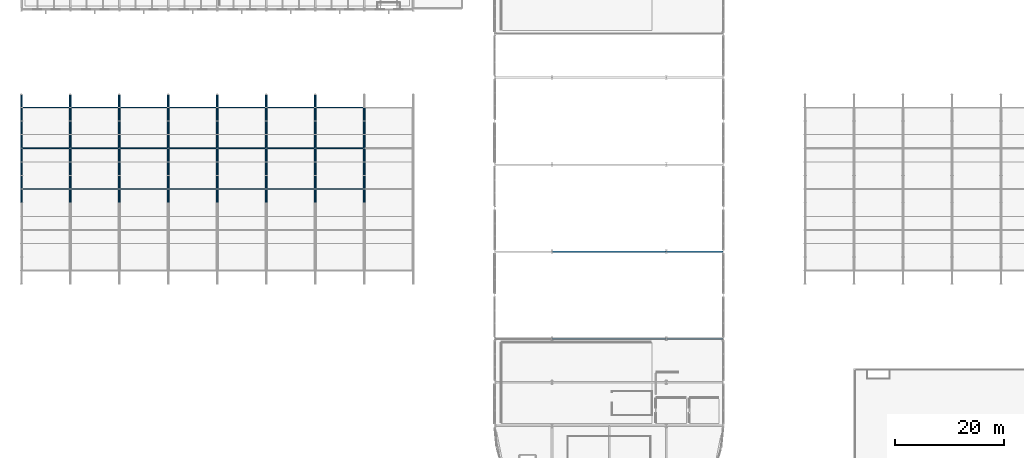
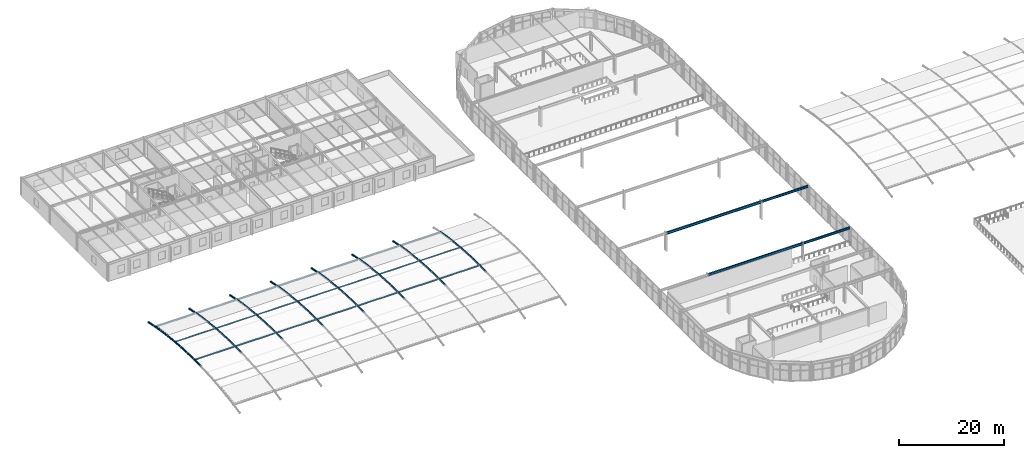
# One storey, part 25 of 105: 84 members, 4 beams.
"""IFC4 building model written with IfcOpenShell, lengths in metres."""

from ifc_helpers import new_model, si_unit, direction, frame, origin, origin_2d, place, context, subcontext, project, spatial, hollow_circle, i_section, extrude, material, material_profile, profile_set, type_object, element, save


model = new_model("IFC4")

# Units and contexts
model_context = context("Model", 3, precision=1e-05, world=origin(), true_north=direction((0.0, 1.0)))
body_context = subcontext(model_context, "Body", "Model", "MODEL_VIEW")
ifc_project = project(units=[si_unit("LENGTHUNIT", "METRE"), si_unit("AREAUNIT", "SQUARE_METRE"), si_unit("VOLUMEUNIT", "CUBIC_METRE"), si_unit("PLANEANGLEUNIT", "RADIAN"), si_unit("MASSUNIT", "GRAM", prefix="KILO")], contexts=[model_context])

# Site, building, storey
site_placement = place(None, origin())
site = spatial("IfcSite", under=ifc_project, at=site_placement, CompositionType="ELEMENT")
building_placement = place(site_placement, origin())
building = spatial("IfcBuilding", under=site, at=building_placement, Name="Marlcrest Central Station", CompositionType="ELEMENT")
storey_placement = place(building_placement, frame((0.0, 0.0, 15.0)))
storey = spatial("IfcBuildingStorey", under=building, at=storey_placement, Name="L03", CompositionType="ELEMENT", Elevation=15.0)

# Members
ifc_material = material(Name="Steel S355", Category="steel")
ifc_material_profile_1 = material_profile(ifc_material, hollow_circle(Radius=0.203125, WallThickness=0.02001953125, at=origin_2d()), Name="CHS 406.4x20")
ifc_profile_set_1 = profile_set([ifc_material_profile_1], Name="Steel S355")
member_type_1 = type_object("IfcMemberType", Name="AC-01", PredefinedType="CHORD", material=ifc_profile_set_1)
for number, where, z_axis, x_axis, name in (
    (1, (0.0, 63.5, 1.76123046875), (0.0, 0.999879472592, 0.01552547228), (-1.0, 0.0, 0.0), "mem-AC-01-L03-00107"),
    (2, (0.0, 66.0, 1.800048828125), (0.0, 0.999879472592, -0.01552547228), (-1.0, 0.0, 0.0), "mem-AC-01-L03-00111"),
):
    element("IfcMember", number, at=place(storey_placement, frame(where, z_axis=z_axis, x_axis=x_axis)), inside=storey, type_object=member_type_1, Name=name, PredefinedType="CHORD", context=body_context, shape_type="SweptSolid", body=[
        extrude(hollow_circle(Radius=0.203125, WallThickness=0.02001953125, at=origin_2d()), origin(), (0.0, 0.0, 1.0), 2.500244140625),
    ])
member_1_placement = place(storey_placement, frame((0.0, 68.5, 1.76123046875), z_axis=(0.0, 0.998921349185, -0.046434234591), x_axis=(-1.0, 0.0, 0.0)))
element("IfcMember", 3, at=member_1_placement, inside=storey, type_object=member_type_1, Name="mem-AC-01-L03-00115", PredefinedType="CHORD", context=body_context, shape_type="SweptSolid", body=[
    extrude(hollow_circle(Radius=0.203125, WallThickness=0.02001953125, at=origin_2d()), origin(), (0.0, 0.0, 1.0), 2.502685546875),
])
member_2_placement = place(storey_placement, frame((0.0, 71.0, 1.64501953125), z_axis=(0.0, 0.996999825732, -0.077403795064), x_axis=(-1.0, 0.0, 0.0)))
element("IfcMember", 4, at=member_2_placement, inside=storey, type_object=member_type_1, Name="mem-AC-01-L03-00119", PredefinedType="CHORD", context=body_context, shape_type="SweptSolid", body=[
    extrude(hollow_circle(Radius=0.203125, WallThickness=0.02001953125, at=origin_2d()), origin(), (0.0, 0.0, 1.0), 2.507568359375),
])
member_3_placement = place(storey_placement, frame((0.0, 73.5, 1.450927734375), z_axis=(0.0, 0.994155341034, -0.107959056565), x_axis=(-1.0, 0.0, 0.0)))
element("IfcMember", 5, at=member_3_placement, inside=storey, type_object=member_type_1, Name="mem-AC-01-L03-00123", PredefinedType="CHORD", context=body_context, shape_type="SweptSolid", body=[
    extrude(hollow_circle(Radius=0.203125, WallThickness=0.02001953125, at=origin_2d()), origin(), (0.0, 0.0, 1.0), 2.5146484375),
])
member_4_placement = place(storey_placement, frame((0.0, 76.0, 1.179443359375), z_axis=(0.0, 0.990402740232, -0.138211476152), x_axis=(-1.0, 0.0, 0.0)))
element("IfcMember", 6, at=member_4_placement, inside=storey, type_object=member_type_1, Name="mem-AC-01-L03-00127", PredefinedType="CHORD", context=body_context, shape_type="SweptSolid", body=[
    extrude(hollow_circle(Radius=0.203125, WallThickness=0.02001953125, at=origin_2d()), origin(), (0.0, 0.0, 1.0), 2.524169921875),
])
member_5_placement = place(storey_placement, frame((0.0, 78.5, 0.83056640625), z_axis=(0.0, 0.98574109921, -0.168269086076), x_axis=(-1.0, 0.0, 0.0)))
element("IfcMember", 7, at=member_5_placement, inside=storey, type_object=member_type_1, Name="mem-AC-01-L03-00131", PredefinedType="CHORD", context=body_context, shape_type="SweptSolid", body=[
    extrude(hollow_circle(Radius=0.203125, WallThickness=0.02001953125, at=origin_2d()), origin(), (0.0, 0.0, 1.0), 2.5361328125),
])
member_6_placement = place(storey_placement, frame((0.0, 81.0, 0.40380859375), z_axis=(0.0, 0.980359417961, -0.197219196874), x_axis=(-1.0, 0.0, 0.0)))
element("IfcMember", 8, at=member_6_placement, inside=storey, type_object=member_type_1, Name="mem-AC-01-L03-00135", PredefinedType="CHORD", context=body_context, shape_type="SweptSolid", body=[
    extrude(hollow_circle(Radius=0.203125, WallThickness=0.02001953125, at=origin_2d()), origin(), (0.0, 0.0, 1.0), 2.468505859375),
])
for number, where, z_axis, x_axis, name in (
    (9, (9.0, 63.5, 1.76123046875), (0.0, 0.999879472592, 0.01552547228), (-1.0, 0.0, 0.0), "mem-AC-01-L03-00223"),
    (10, (9.0, 66.0, 1.800048828125), (0.0, 0.999879472592, -0.01552547228), (-1.0, 0.0, 0.0), "mem-AC-01-L03-00227"),
):
    element("IfcMember", number, at=place(storey_placement, frame(where, z_axis=z_axis, x_axis=x_axis)), inside=storey, type_object=member_type_1, Name=name, PredefinedType="CHORD", context=body_context, shape_type="SweptSolid", body=[
        extrude(hollow_circle(Radius=0.203125, WallThickness=0.02001953125, at=origin_2d()), origin(), (0.0, 0.0, 1.0), 2.500244140625),
    ])
member_7_placement = place(storey_placement, frame((9.0, 68.5, 1.76123046875), z_axis=(0.0, 0.998921349185, -0.046434234591), x_axis=(-1.0, 0.0, 0.0)))
element("IfcMember", 11, at=member_7_placement, inside=storey, type_object=member_type_1, Name="mem-AC-01-L03-00231", PredefinedType="CHORD", context=body_context, shape_type="SweptSolid", body=[
    extrude(hollow_circle(Radius=0.203125, WallThickness=0.02001953125, at=origin_2d()), origin(), (0.0, 0.0, 1.0), 2.502685546875),
])
member_8_placement = place(storey_placement, frame((9.0, 71.0, 1.64501953125), z_axis=(0.0, 0.996999825732, -0.077403795064), x_axis=(-1.0, 0.0, 0.0)))
element("IfcMember", 12, at=member_8_placement, inside=storey, type_object=member_type_1, Name="mem-AC-01-L03-00235", PredefinedType="CHORD", context=body_context, shape_type="SweptSolid", body=[
    extrude(hollow_circle(Radius=0.203125, WallThickness=0.02001953125, at=origin_2d()), origin(), (0.0, 0.0, 1.0), 2.507568359375),
])
member_9_placement = place(storey_placement, frame((9.0, 73.5, 1.450927734375), z_axis=(0.0, 0.994155341034, -0.107959056565), x_axis=(-1.0, 0.0, 0.0)))
element("IfcMember", 13, at=member_9_placement, inside=storey, type_object=member_type_1, Name="mem-AC-01-L03-00239", PredefinedType="CHORD", context=body_context, shape_type="SweptSolid", body=[
    extrude(hollow_circle(Radius=0.203125, WallThickness=0.02001953125, at=origin_2d()), origin(), (0.0, 0.0, 1.0), 2.5146484375),
])
member_10_placement = place(storey_placement, frame((9.0, 76.0, 1.179443359375), z_axis=(0.0, 0.990402740232, -0.138211476152), x_axis=(-1.0, 0.0, 0.0)))
element("IfcMember", 14, at=member_10_placement, inside=storey, type_object=member_type_1, Name="mem-AC-01-L03-00243", PredefinedType="CHORD", context=body_context, shape_type="SweptSolid", body=[
    extrude(hollow_circle(Radius=0.203125, WallThickness=0.02001953125, at=origin_2d()), origin(), (0.0, 0.0, 1.0), 2.524169921875),
])
member_11_placement = place(storey_placement, frame((9.0, 78.5, 0.83056640625), z_axis=(0.0, 0.98574109921, -0.168269086076), x_axis=(-1.0, 0.0, 0.0)))
element("IfcMember", 15, at=member_11_placement, inside=storey, type_object=member_type_1, Name="mem-AC-01-L03-00247", PredefinedType="CHORD", context=body_context, shape_type="SweptSolid", body=[
    extrude(hollow_circle(Radius=0.203125, WallThickness=0.02001953125, at=origin_2d()), origin(), (0.0, 0.0, 1.0), 2.5361328125),
])
member_12_placement = place(storey_placement, frame((9.0, 81.0, 0.40380859375), z_axis=(0.0, 0.980359417961, -0.197219196874), x_axis=(-1.0, 0.0, 0.0)))
element("IfcMember", 16, at=member_12_placement, inside=storey, type_object=member_type_1, Name="mem-AC-01-L03-00251", PredefinedType="CHORD", context=body_context, shape_type="SweptSolid", body=[
    extrude(hollow_circle(Radius=0.203125, WallThickness=0.02001953125, at=origin_2d()), origin(), (0.0, 0.0, 1.0), 2.468505859375),
])
for number, where, z_axis, x_axis, name in (
    (17, (18.0, 63.5, 1.76123046875), (0.0, 0.999879472592, 0.01552547228), (-1.0, 0.0, 0.0), "mem-AC-01-L03-00339"),
    (18, (18.0, 66.0, 1.800048828125), (0.0, 0.999879472592, -0.01552547228), (-1.0, 0.0, 0.0), "mem-AC-01-L03-00343"),
):
    element("IfcMember", number, at=place(storey_placement, frame(where, z_axis=z_axis, x_axis=x_axis)), inside=storey, type_object=member_type_1, Name=name, PredefinedType="CHORD", context=body_context, shape_type="SweptSolid", body=[
        extrude(hollow_circle(Radius=0.203125, WallThickness=0.02001953125, at=origin_2d()), origin(), (0.0, 0.0, 1.0), 2.500244140625),
    ])
member_13_placement = place(storey_placement, frame((18.0, 68.5, 1.76123046875), z_axis=(0.0, 0.998921349185, -0.046434234591), x_axis=(-1.0, 0.0, 0.0)))
element("IfcMember", 19, at=member_13_placement, inside=storey, type_object=member_type_1, Name="mem-AC-01-L03-00347", PredefinedType="CHORD", context=body_context, shape_type="SweptSolid", body=[
    extrude(hollow_circle(Radius=0.203125, WallThickness=0.02001953125, at=origin_2d()), origin(), (0.0, 0.0, 1.0), 2.502685546875),
])
member_14_placement = place(storey_placement, frame((18.0, 71.0, 1.64501953125), z_axis=(0.0, 0.996999825732, -0.077403795064), x_axis=(-1.0, 0.0, 0.0)))
element("IfcMember", 20, at=member_14_placement, inside=storey, type_object=member_type_1, Name="mem-AC-01-L03-00351", PredefinedType="CHORD", context=body_context, shape_type="SweptSolid", body=[
    extrude(hollow_circle(Radius=0.203125, WallThickness=0.02001953125, at=origin_2d()), origin(), (0.0, 0.0, 1.0), 2.507568359375),
])
member_15_placement = place(storey_placement, frame((18.0, 73.5, 1.450927734375), z_axis=(0.0, 0.994155341034, -0.107959056565), x_axis=(-1.0, 0.0, 0.0)))
element("IfcMember", 21, at=member_15_placement, inside=storey, type_object=member_type_1, Name="mem-AC-01-L03-00355", PredefinedType="CHORD", context=body_context, shape_type="SweptSolid", body=[
    extrude(hollow_circle(Radius=0.203125, WallThickness=0.02001953125, at=origin_2d()), origin(), (0.0, 0.0, 1.0), 2.5146484375),
])
member_16_placement = place(storey_placement, frame((18.0, 76.0, 1.179443359375), z_axis=(0.0, 0.990402740232, -0.138211476152), x_axis=(-1.0, 0.0, 0.0)))
element("IfcMember", 22, at=member_16_placement, inside=storey, type_object=member_type_1, Name="mem-AC-01-L03-00359", PredefinedType="CHORD", context=body_context, shape_type="SweptSolid", body=[
    extrude(hollow_circle(Radius=0.203125, WallThickness=0.02001953125, at=origin_2d()), origin(), (0.0, 0.0, 1.0), 2.524169921875),
])
member_17_placement = place(storey_placement, frame((18.0, 78.5, 0.83056640625), z_axis=(0.0, 0.98574109921, -0.168269086076), x_axis=(-1.0, 0.0, 0.0)))
element("IfcMember", 23, at=member_17_placement, inside=storey, type_object=member_type_1, Name="mem-AC-01-L03-00363", PredefinedType="CHORD", context=body_context, shape_type="SweptSolid", body=[
    extrude(hollow_circle(Radius=0.203125, WallThickness=0.02001953125, at=origin_2d()), origin(), (0.0, 0.0, 1.0), 2.5361328125),
])
member_18_placement = place(storey_placement, frame((18.0, 81.0, 0.40380859375), z_axis=(0.0, 0.980359417961, -0.197219196874), x_axis=(-1.0, 0.0, 0.0)))
element("IfcMember", 24, at=member_18_placement, inside=storey, type_object=member_type_1, Name="mem-AC-01-L03-00367", PredefinedType="CHORD", context=body_context, shape_type="SweptSolid", body=[
    extrude(hollow_circle(Radius=0.203125, WallThickness=0.02001953125, at=origin_2d()), origin(), (0.0, 0.0, 1.0), 2.468505859375),
])
for number, where, z_axis, x_axis, name in (
    (25, (27.0, 63.5, 1.76123046875), (0.0, 0.999879472592, 0.01552547228), (-1.0, 0.0, 0.0), "mem-AC-01-L03-00455"),
    (26, (27.0, 66.0, 1.800048828125), (0.0, 0.999879472592, -0.01552547228), (-1.0, 0.0, 0.0), "mem-AC-01-L03-00459"),
):
    element("IfcMember", number, at=place(storey_placement, frame(where, z_axis=z_axis, x_axis=x_axis)), inside=storey, type_object=member_type_1, Name=name, PredefinedType="CHORD", context=body_context, shape_type="SweptSolid", body=[
        extrude(hollow_circle(Radius=0.203125, WallThickness=0.02001953125, at=origin_2d()), origin(), (0.0, 0.0, 1.0), 2.500244140625),
    ])
member_19_placement = place(storey_placement, frame((27.0, 68.5, 1.76123046875), z_axis=(0.0, 0.998921349185, -0.046434234591), x_axis=(-1.0, 0.0, 0.0)))
element("IfcMember", 27, at=member_19_placement, inside=storey, type_object=member_type_1, Name="mem-AC-01-L03-00463", PredefinedType="CHORD", context=body_context, shape_type="SweptSolid", body=[
    extrude(hollow_circle(Radius=0.203125, WallThickness=0.02001953125, at=origin_2d()), origin(), (0.0, 0.0, 1.0), 2.502685546875),
])
member_20_placement = place(storey_placement, frame((27.0, 71.0, 1.64501953125), z_axis=(0.0, 0.996999825732, -0.077403795064), x_axis=(-1.0, 0.0, 0.0)))
element("IfcMember", 28, at=member_20_placement, inside=storey, type_object=member_type_1, Name="mem-AC-01-L03-00467", PredefinedType="CHORD", context=body_context, shape_type="SweptSolid", body=[
    extrude(hollow_circle(Radius=0.203125, WallThickness=0.02001953125, at=origin_2d()), origin(), (0.0, 0.0, 1.0), 2.507568359375),
])
member_21_placement = place(storey_placement, frame((27.0, 73.5, 1.450927734375), z_axis=(0.0, 0.994155341034, -0.107959056565), x_axis=(-1.0, 0.0, 0.0)))
element("IfcMember", 29, at=member_21_placement, inside=storey, type_object=member_type_1, Name="mem-AC-01-L03-00471", PredefinedType="CHORD", context=body_context, shape_type="SweptSolid", body=[
    extrude(hollow_circle(Radius=0.203125, WallThickness=0.02001953125, at=origin_2d()), origin(), (0.0, 0.0, 1.0), 2.5146484375),
])
member_22_placement = place(storey_placement, frame((27.0, 76.0, 1.179443359375), z_axis=(0.0, 0.990402740232, -0.138211476152), x_axis=(-1.0, 0.0, 0.0)))
element("IfcMember", 30, at=member_22_placement, inside=storey, type_object=member_type_1, Name="mem-AC-01-L03-00475", PredefinedType="CHORD", context=body_context, shape_type="SweptSolid", body=[
    extrude(hollow_circle(Radius=0.203125, WallThickness=0.02001953125, at=origin_2d()), origin(), (0.0, 0.0, 1.0), 2.524169921875),
])
member_23_placement = place(storey_placement, frame((27.0, 78.5, 0.83056640625), z_axis=(0.0, 0.98574109921, -0.168269086076), x_axis=(-1.0, 0.0, 0.0)))
element("IfcMember", 31, at=member_23_placement, inside=storey, type_object=member_type_1, Name="mem-AC-01-L03-00479", PredefinedType="CHORD", context=body_context, shape_type="SweptSolid", body=[
    extrude(hollow_circle(Radius=0.203125, WallThickness=0.02001953125, at=origin_2d()), origin(), (0.0, 0.0, 1.0), 2.5361328125),
])
member_24_placement = place(storey_placement, frame((27.0, 81.0, 0.40380859375), z_axis=(0.0, 0.980359417961, -0.197219196874), x_axis=(-1.0, 0.0, 0.0)))
element("IfcMember", 32, at=member_24_placement, inside=storey, type_object=member_type_1, Name="mem-AC-01-L03-00483", PredefinedType="CHORD", context=body_context, shape_type="SweptSolid", body=[
    extrude(hollow_circle(Radius=0.203125, WallThickness=0.02001953125, at=origin_2d()), origin(), (0.0, 0.0, 1.0), 2.468505859375),
])
for number, where, z_axis, x_axis, name in (
    (33, (36.0, 63.5, 1.76123046875), (0.0, 0.999879472592, 0.01552547228), (-1.0, 0.0, 0.0), "mem-AC-01-L03-00571"),
    (34, (36.0, 66.0, 1.800048828125), (0.0, 0.999879472592, -0.01552547228), (-1.0, 0.0, 0.0), "mem-AC-01-L03-00575"),
):
    element("IfcMember", number, at=place(storey_placement, frame(where, z_axis=z_axis, x_axis=x_axis)), inside=storey, type_object=member_type_1, Name=name, PredefinedType="CHORD", context=body_context, shape_type="SweptSolid", body=[
        extrude(hollow_circle(Radius=0.203125, WallThickness=0.02001953125, at=origin_2d()), origin(), (0.0, 0.0, 1.0), 2.500244140625),
    ])
member_25_placement = place(storey_placement, frame((36.0, 68.5, 1.76123046875), z_axis=(0.0, 0.998921349185, -0.046434234591), x_axis=(-1.0, 0.0, 0.0)))
element("IfcMember", 35, at=member_25_placement, inside=storey, type_object=member_type_1, Name="mem-AC-01-L03-00579", PredefinedType="CHORD", context=body_context, shape_type="SweptSolid", body=[
    extrude(hollow_circle(Radius=0.203125, WallThickness=0.02001953125, at=origin_2d()), origin(), (0.0, 0.0, 1.0), 2.502685546875),
])
member_26_placement = place(storey_placement, frame((36.0, 71.0, 1.64501953125), z_axis=(0.0, 0.996999825732, -0.077403795064), x_axis=(-1.0, 0.0, 0.0)))
element("IfcMember", 36, at=member_26_placement, inside=storey, type_object=member_type_1, Name="mem-AC-01-L03-00583", PredefinedType="CHORD", context=body_context, shape_type="SweptSolid", body=[
    extrude(hollow_circle(Radius=0.203125, WallThickness=0.02001953125, at=origin_2d()), origin(), (0.0, 0.0, 1.0), 2.507568359375),
])
member_27_placement = place(storey_placement, frame((36.0, 73.5, 1.450927734375), z_axis=(0.0, 0.994155341034, -0.107959056565), x_axis=(-1.0, 0.0, 0.0)))
element("IfcMember", 37, at=member_27_placement, inside=storey, type_object=member_type_1, Name="mem-AC-01-L03-00587", PredefinedType="CHORD", context=body_context, shape_type="SweptSolid", body=[
    extrude(hollow_circle(Radius=0.203125, WallThickness=0.02001953125, at=origin_2d()), origin(), (0.0, 0.0, 1.0), 2.5146484375),
])
member_28_placement = place(storey_placement, frame((36.0, 76.0, 1.179443359375), z_axis=(0.0, 0.990402740232, -0.138211476152), x_axis=(-1.0, 0.0, 0.0)))
element("IfcMember", 38, at=member_28_placement, inside=storey, type_object=member_type_1, Name="mem-AC-01-L03-00591", PredefinedType="CHORD", context=body_context, shape_type="SweptSolid", body=[
    extrude(hollow_circle(Radius=0.203125, WallThickness=0.02001953125, at=origin_2d()), origin(), (0.0, 0.0, 1.0), 2.524169921875),
])
member_29_placement = place(storey_placement, frame((36.0, 78.5, 0.83056640625), z_axis=(0.0, 0.98574109921, -0.168269086076), x_axis=(-1.0, 0.0, 0.0)))
element("IfcMember", 39, at=member_29_placement, inside=storey, type_object=member_type_1, Name="mem-AC-01-L03-00595", PredefinedType="CHORD", context=body_context, shape_type="SweptSolid", body=[
    extrude(hollow_circle(Radius=0.203125, WallThickness=0.02001953125, at=origin_2d()), origin(), (0.0, 0.0, 1.0), 2.5361328125),
])
member_30_placement = place(storey_placement, frame((36.0, 81.0, 0.40380859375), z_axis=(0.0, 0.980359417961, -0.197219196874), x_axis=(-1.0, 0.0, 0.0)))
element("IfcMember", 40, at=member_30_placement, inside=storey, type_object=member_type_1, Name="mem-AC-01-L03-00599", PredefinedType="CHORD", context=body_context, shape_type="SweptSolid", body=[
    extrude(hollow_circle(Radius=0.203125, WallThickness=0.02001953125, at=origin_2d()), origin(), (0.0, 0.0, 1.0), 2.468505859375),
])
for number, where, z_axis, x_axis, name in (
    (41, (45.0, 63.5, 1.76123046875), (0.0, 0.999879472592, 0.01552547228), (-1.0, 0.0, 0.0), "mem-AC-01-L03-00687"),
    (42, (45.0, 66.0, 1.800048828125), (0.0, 0.999879472592, -0.01552547228), (-1.0, 0.0, 0.0), "mem-AC-01-L03-00691"),
):
    element("IfcMember", number, at=place(storey_placement, frame(where, z_axis=z_axis, x_axis=x_axis)), inside=storey, type_object=member_type_1, Name=name, PredefinedType="CHORD", context=body_context, shape_type="SweptSolid", body=[
        extrude(hollow_circle(Radius=0.203125, WallThickness=0.02001953125, at=origin_2d()), origin(), (0.0, 0.0, 1.0), 2.500244140625),
    ])
member_31_placement = place(storey_placement, frame((45.0, 68.5, 1.76123046875), z_axis=(0.0, 0.998921349185, -0.046434234591), x_axis=(-1.0, 0.0, 0.0)))
element("IfcMember", 43, at=member_31_placement, inside=storey, type_object=member_type_1, Name="mem-AC-01-L03-00695", PredefinedType="CHORD", context=body_context, shape_type="SweptSolid", body=[
    extrude(hollow_circle(Radius=0.203125, WallThickness=0.02001953125, at=origin_2d()), origin(), (0.0, 0.0, 1.0), 2.502685546875),
])
member_32_placement = place(storey_placement, frame((45.0, 71.0, 1.64501953125), z_axis=(0.0, 0.996999825732, -0.077403795064), x_axis=(-1.0, 0.0, 0.0)))
element("IfcMember", 44, at=member_32_placement, inside=storey, type_object=member_type_1, Name="mem-AC-01-L03-00699", PredefinedType="CHORD", context=body_context, shape_type="SweptSolid", body=[
    extrude(hollow_circle(Radius=0.203125, WallThickness=0.02001953125, at=origin_2d()), origin(), (0.0, 0.0, 1.0), 2.507568359375),
])
member_33_placement = place(storey_placement, frame((45.0, 73.5, 1.450927734375), z_axis=(0.0, 0.994155341034, -0.107959056565), x_axis=(-1.0, 0.0, 0.0)))
element("IfcMember", 45, at=member_33_placement, inside=storey, type_object=member_type_1, Name="mem-AC-01-L03-00703", PredefinedType="CHORD", context=body_context, shape_type="SweptSolid", body=[
    extrude(hollow_circle(Radius=0.203125, WallThickness=0.02001953125, at=origin_2d()), origin(), (0.0, 0.0, 1.0), 2.5146484375),
])
member_34_placement = place(storey_placement, frame((45.0, 76.0, 1.179443359375), z_axis=(0.0, 0.990402740232, -0.138211476152), x_axis=(-1.0, 0.0, 0.0)))
element("IfcMember", 46, at=member_34_placement, inside=storey, type_object=member_type_1, Name="mem-AC-01-L03-00707", PredefinedType="CHORD", context=body_context, shape_type="SweptSolid", body=[
    extrude(hollow_circle(Radius=0.203125, WallThickness=0.02001953125, at=origin_2d()), origin(), (0.0, 0.0, 1.0), 2.524169921875),
])
member_35_placement = place(storey_placement, frame((45.0, 78.5, 0.83056640625), z_axis=(0.0, 0.98574109921, -0.168269086076), x_axis=(-1.0, 0.0, 0.0)))
element("IfcMember", 47, at=member_35_placement, inside=storey, type_object=member_type_1, Name="mem-AC-01-L03-00711", PredefinedType="CHORD", context=body_context, shape_type="SweptSolid", body=[
    extrude(hollow_circle(Radius=0.203125, WallThickness=0.02001953125, at=origin_2d()), origin(), (0.0, 0.0, 1.0), 2.5361328125),
])
member_36_placement = place(storey_placement, frame((45.0, 81.0, 0.40380859375), z_axis=(0.0, 0.980359417961, -0.197219196874), x_axis=(-1.0, 0.0, 0.0)))
element("IfcMember", 48, at=member_36_placement, inside=storey, type_object=member_type_1, Name="mem-AC-01-L03-00715", PredefinedType="CHORD", context=body_context, shape_type="SweptSolid", body=[
    extrude(hollow_circle(Radius=0.203125, WallThickness=0.02001953125, at=origin_2d()), origin(), (0.0, 0.0, 1.0), 2.468505859375),
])
for number, where, z_axis, x_axis, name in (
    (49, (54.0, 63.5, 1.76123046875), (0.0, 0.999879472592, 0.01552547228), (-1.0, 0.0, 0.0), "mem-AC-01-L03-00803"),
    (50, (54.0, 66.0, 1.800048828125), (0.0, 0.999879472592, -0.01552547228), (-1.0, 0.0, 0.0), "mem-AC-01-L03-00807"),
):
    element("IfcMember", number, at=place(storey_placement, frame(where, z_axis=z_axis, x_axis=x_axis)), inside=storey, type_object=member_type_1, Name=name, PredefinedType="CHORD", context=body_context, shape_type="SweptSolid", body=[
        extrude(hollow_circle(Radius=0.203125, WallThickness=0.02001953125, at=origin_2d()), origin(), (0.0, 0.0, 1.0), 2.500244140625),
    ])
member_37_placement = place(storey_placement, frame((54.0, 68.5, 1.76123046875), z_axis=(0.0, 0.998921349185, -0.046434234591), x_axis=(-1.0, 0.0, 0.0)))
element("IfcMember", 51, at=member_37_placement, inside=storey, type_object=member_type_1, Name="mem-AC-01-L03-00811", PredefinedType="CHORD", context=body_context, shape_type="SweptSolid", body=[
    extrude(hollow_circle(Radius=0.203125, WallThickness=0.02001953125, at=origin_2d()), origin(), (0.0, 0.0, 1.0), 2.502685546875),
])
member_38_placement = place(storey_placement, frame((54.0, 71.0, 1.64501953125), z_axis=(0.0, 0.996999825732, -0.077403795064), x_axis=(-1.0, 0.0, 0.0)))
element("IfcMember", 52, at=member_38_placement, inside=storey, type_object=member_type_1, Name="mem-AC-01-L03-00815", PredefinedType="CHORD", context=body_context, shape_type="SweptSolid", body=[
    extrude(hollow_circle(Radius=0.203125, WallThickness=0.02001953125, at=origin_2d()), origin(), (0.0, 0.0, 1.0), 2.507568359375),
])
member_39_placement = place(storey_placement, frame((54.0, 73.5, 1.450927734375), z_axis=(0.0, 0.994155341034, -0.107959056565), x_axis=(-1.0, 0.0, 0.0)))
element("IfcMember", 53, at=member_39_placement, inside=storey, type_object=member_type_1, Name="mem-AC-01-L03-00819", PredefinedType="CHORD", context=body_context, shape_type="SweptSolid", body=[
    extrude(hollow_circle(Radius=0.203125, WallThickness=0.02001953125, at=origin_2d()), origin(), (0.0, 0.0, 1.0), 2.5146484375),
])
member_40_placement = place(storey_placement, frame((54.0, 76.0, 1.179443359375), z_axis=(0.0, 0.990402740232, -0.138211476152), x_axis=(-1.0, 0.0, 0.0)))
element("IfcMember", 54, at=member_40_placement, inside=storey, type_object=member_type_1, Name="mem-AC-01-L03-00823", PredefinedType="CHORD", context=body_context, shape_type="SweptSolid", body=[
    extrude(hollow_circle(Radius=0.203125, WallThickness=0.02001953125, at=origin_2d()), origin(), (0.0, 0.0, 1.0), 2.524169921875),
])
member_41_placement = place(storey_placement, frame((54.0, 78.5, 0.83056640625), z_axis=(0.0, 0.98574109921, -0.168269086076), x_axis=(-1.0, 0.0, 0.0)))
element("IfcMember", 55, at=member_41_placement, inside=storey, type_object=member_type_1, Name="mem-AC-01-L03-00827", PredefinedType="CHORD", context=body_context, shape_type="SweptSolid", body=[
    extrude(hollow_circle(Radius=0.203125, WallThickness=0.02001953125, at=origin_2d()), origin(), (0.0, 0.0, 1.0), 2.5361328125),
])
member_42_placement = place(storey_placement, frame((54.0, 81.0, 0.40380859375), z_axis=(0.0, 0.980359417961, -0.197219196874), x_axis=(-1.0, 0.0, 0.0)))
element("IfcMember", 56, at=member_42_placement, inside=storey, type_object=member_type_1, Name="mem-AC-01-L03-00831", PredefinedType="CHORD", context=body_context, shape_type="SweptSolid", body=[
    extrude(hollow_circle(Radius=0.203125, WallThickness=0.02001953125, at=origin_2d()), origin(), (0.0, 0.0, 1.0), 2.468505859375),
])
for number, where, z_axis, x_axis, name in (
    (57, (63.0, 63.5, 1.76123046875), (0.0, 0.999879472592, 0.01552547228), (-1.0, 0.0, 0.0), "mem-AC-01-L03-00919"),
    (58, (63.0, 66.0, 1.800048828125), (0.0, 0.999879472592, -0.01552547228), (-1.0, 0.0, 0.0), "mem-AC-01-L03-00923"),
):
    element("IfcMember", number, at=place(storey_placement, frame(where, z_axis=z_axis, x_axis=x_axis)), inside=storey, type_object=member_type_1, Name=name, PredefinedType="CHORD", context=body_context, shape_type="SweptSolid", body=[
        extrude(hollow_circle(Radius=0.203125, WallThickness=0.02001953125, at=origin_2d()), origin(), (0.0, 0.0, 1.0), 2.500244140625),
    ])
member_43_placement = place(storey_placement, frame((63.0, 68.5, 1.76123046875), z_axis=(0.0, 0.998921349185, -0.046434234591), x_axis=(-1.0, 0.0, 0.0)))
element("IfcMember", 59, at=member_43_placement, inside=storey, type_object=member_type_1, Name="mem-AC-01-L03-00927", PredefinedType="CHORD", context=body_context, shape_type="SweptSolid", body=[
    extrude(hollow_circle(Radius=0.203125, WallThickness=0.02001953125, at=origin_2d()), origin(), (0.0, 0.0, 1.0), 2.502685546875),
])
member_44_placement = place(storey_placement, frame((63.0, 71.0, 1.64501953125), z_axis=(0.0, 0.996999825732, -0.077403795064), x_axis=(-1.0, 0.0, 0.0)))
element("IfcMember", 60, at=member_44_placement, inside=storey, type_object=member_type_1, Name="mem-AC-01-L03-00931", PredefinedType="CHORD", context=body_context, shape_type="SweptSolid", body=[
    extrude(hollow_circle(Radius=0.203125, WallThickness=0.02001953125, at=origin_2d()), origin(), (0.0, 0.0, 1.0), 2.507568359375),
])
member_45_placement = place(storey_placement, frame((63.0, 73.5, 1.450927734375), z_axis=(0.0, 0.994155341034, -0.107959056565), x_axis=(-1.0, 0.0, 0.0)))
element("IfcMember", 61, at=member_45_placement, inside=storey, type_object=member_type_1, Name="mem-AC-01-L03-00935", PredefinedType="CHORD", context=body_context, shape_type="SweptSolid", body=[
    extrude(hollow_circle(Radius=0.203125, WallThickness=0.02001953125, at=origin_2d()), origin(), (0.0, 0.0, 1.0), 2.5146484375),
])
member_46_placement = place(storey_placement, frame((63.0, 76.0, 1.179443359375), z_axis=(0.0, 0.990402740232, -0.138211476152), x_axis=(-1.0, 0.0, 0.0)))
element("IfcMember", 62, at=member_46_placement, inside=storey, type_object=member_type_1, Name="mem-AC-01-L03-00939", PredefinedType="CHORD", context=body_context, shape_type="SweptSolid", body=[
    extrude(hollow_circle(Radius=0.203125, WallThickness=0.02001953125, at=origin_2d()), origin(), (0.0, 0.0, 1.0), 2.524169921875),
])
member_47_placement = place(storey_placement, frame((63.0, 78.5, 0.83056640625), z_axis=(0.0, 0.98574109921, -0.168269086076), x_axis=(-1.0, 0.0, 0.0)))
element("IfcMember", 63, at=member_47_placement, inside=storey, type_object=member_type_1, Name="mem-AC-01-L03-00943", PredefinedType="CHORD", context=body_context, shape_type="SweptSolid", body=[
    extrude(hollow_circle(Radius=0.203125, WallThickness=0.02001953125, at=origin_2d()), origin(), (0.0, 0.0, 1.0), 2.5361328125),
])

# Beams
ifc_material_profile_2 = material_profile(ifc_material, i_section(OverallWidth=0.300048828125, OverallDepth=0.489990234375, WebThickness=0.011962890625, FlangeThickness=0.02294921875, FilletRadius=0.027099609375, at=origin_2d()), Name="HEA 500")
ifc_profile_set_2 = profile_set([ifc_material_profile_2], Name="Steel S355")
beam_type_1 = type_object("IfcBeamType", Name="BM-10", PredefinedType="BEAM", material=ifc_profile_set_2)
for number, where, z_axis, x_axis, name in (
    (64, (118.550048828125, 38.5, 4.074951171875), (1.0, 0.0, 0.0), (0.0, 1.0, 0.0), "bm-BM-10-L03-01180"),
    (65, (118.550048828125, 54.5, 4.074951171875), (1.0, 0.0, 0.0), (0.0, 1.0, 0.0), "bm-BM-10-L03-01191"),
):
    element("IfcBeam", number, at=place(storey_placement, frame(where, z_axis=z_axis, x_axis=x_axis)), inside=storey, type_object=beam_type_1, Name=name, PredefinedType="BEAM", context=body_context, shape_type="SweptSolid", body=[
        extrude(i_section(OverallWidth=0.300048828125, OverallDepth=0.489990234375, WebThickness=0.011962890625, FlangeThickness=0.02294921875, FilletRadius=0.027099609375, at=origin_2d()), origin(), (0.0, 0.0, 1.0), 10.39990234375),
    ])
ifc_material_profile_3 = material_profile(ifc_material, i_section(OverallWidth=0.300048828125, OverallDepth=0.550048828125, WebThickness=0.014892578125, FlangeThickness=0.029052734375, FilletRadius=0.027099609375, at=origin_2d()), Name="HEB 550")
ifc_profile_set_3 = profile_set([ifc_material_profile_3], Name="Steel S355")
beam_type_2 = type_object("IfcBeamType", Name="BM-11", PredefinedType="BEAM", material=ifc_profile_set_3)
for number, where, z_axis, x_axis, name in (
    (66, (97.550048828125, 38.5, 4.044921875), (1.0, 0.0, 0.0), (0.0, 1.0, 0.0), "bm-BM-11-L03-01181"),
    (67, (97.550048828125, 54.5, 4.044921875), (1.0, 0.0, 0.0), (0.0, 1.0, 0.0), "bm-BM-11-L03-01192"),
):
    element("IfcBeam", number, at=place(storey_placement, frame(where, z_axis=z_axis, x_axis=x_axis)), inside=storey, type_object=beam_type_2, Name=name, PredefinedType="BEAM", context=body_context, shape_type="SweptSolid", body=[
        extrude(i_section(OverallWidth=0.300048828125, OverallDepth=0.550048828125, WebThickness=0.014892578125, FlangeThickness=0.029052734375, FilletRadius=0.027099609375, at=origin_2d()), origin(), (0.0, 0.0, 1.0), 20.89990234375),
    ])

# Members
ifc_material_profile_4 = material_profile(ifc_material, i_section(OverallWidth=0.10009765625, OverallDepth=0.199951171875, WebThickness=0.005615234375, FlangeThickness=0.008544921875, FilletRadius=0.011962890625, at=origin_2d()), Name="IPE 200")
ifc_profile_set_4 = profile_set([ifc_material_profile_4], Name="Steel S355")
member_type_2 = type_object("IfcMemberType", Name="PR-01", PredefinedType="PURLIN", material=ifc_profile_set_4)
for number, where, z_axis, x_axis, name in (
    (68, (0.179931640625, 73.5, 1.31103515625), (1.0, 0.0, 0.0), (0.0, 1.0, 0.0), "mem-PR-01-L03-00170"),
    (69, (9.179931640625, 73.5, 1.31103515625), (1.0, 0.0, 0.0), (0.0, 1.0, 0.0), "mem-PR-01-L03-00286"),
    (70, (18.179931640625, 73.5, 1.31103515625), (1.0, 0.0, 0.0), (0.0, 1.0, 0.0), "mem-PR-01-L03-00402"),
    (71, (27.179931640625, 73.5, 1.31103515625), (1.0, 0.0, 0.0), (0.0, 1.0, 0.0), "mem-PR-01-L03-00518"),
    (72, (36.179931640625, 73.5, 1.31103515625), (1.0, 0.0, 0.0), (0.0, 1.0, 0.0), "mem-PR-01-L03-00634"),
    (73, (45.179931640625, 73.5, 1.31103515625), (1.0, 0.0, 0.0), (0.0, 1.0, 0.0), "mem-PR-01-L03-00750"),
    (74, (54.179931640625, 73.5, 1.31103515625), (1.0, 0.0, 0.0), (0.0, 1.0, 0.0), "mem-PR-01-L03-00866"),
):
    element("IfcMember", number, at=place(storey_placement, frame(where, z_axis=z_axis, x_axis=x_axis)), inside=storey, type_object=member_type_2, Name=name, PredefinedType="PURLIN", context=body_context, shape_type="SweptSolid", body=[
        extrude(i_section(OverallWidth=0.10009765625, OverallDepth=0.199951171875, WebThickness=0.005615234375, FlangeThickness=0.008544921875, FilletRadius=0.011962890625, at=origin_2d()), origin(), (0.0, 0.0, 1.0), 8.64013671875),
    ])
ifc_material_profile_5 = material_profile(ifc_material, i_section(OverallWidth=0.1201171875, OverallDepth=0.239990234375, WebThickness=0.006103515625, FlangeThickness=0.009765625, FilletRadius=0.014892578125, at=origin_2d()), Name="IPE 240")
ifc_profile_set_5 = profile_set([ifc_material_profile_5], Name="Steel S355")
member_type_3 = type_object("IfcMemberType", Name="PR-02", PredefinedType="PURLIN", material=ifc_profile_set_5)
for number, where, z_axis, x_axis, name in (
    (75, (0.179931640625, 66.0, 1.659912109375), (1.0, 0.0, 0.0), (0.0, 1.0, 0.0), "mem-PR-02-L03-00169"),
    (76, (0.179931640625, 81.0, 0.263916015625), (1.0, 0.0, 0.0), (0.0, 1.0, 0.0), "mem-PR-02-L03-00171"),
    (77, (9.179931640625, 66.0, 1.659912109375), (1.0, 0.0, 0.0), (0.0, 1.0, 0.0), "mem-PR-02-L03-00285"),
    (78, (9.179931640625, 81.0, 0.263916015625), (1.0, 0.0, 0.0), (0.0, 1.0, 0.0), "mem-PR-02-L03-00287"),
    (79, (18.179931640625, 66.0, 1.659912109375), (1.0, 0.0, 0.0), (0.0, 1.0, 0.0), "mem-PR-02-L03-00401"),
    (80, (18.179931640625, 81.0, 0.263916015625), (1.0, 0.0, 0.0), (0.0, 1.0, 0.0), "mem-PR-02-L03-00403"),
    (81, (27.179931640625, 66.0, 1.659912109375), (1.0, 0.0, 0.0), (0.0, 1.0, 0.0), "mem-PR-02-L03-00517"),
    (82, (27.179931640625, 81.0, 0.263916015625), (1.0, 0.0, 0.0), (0.0, 1.0, 0.0), "mem-PR-02-L03-00519"),
    (83, (36.179931640625, 66.0, 1.659912109375), (1.0, 0.0, 0.0), (0.0, 1.0, 0.0), "mem-PR-02-L03-00633"),
    (84, (36.179931640625, 81.0, 0.263916015625), (1.0, 0.0, 0.0), (0.0, 1.0, 0.0), "mem-PR-02-L03-00635"),
    (85, (45.179931640625, 66.0, 1.659912109375), (1.0, 0.0, 0.0), (0.0, 1.0, 0.0), "mem-PR-02-L03-00749"),
    (86, (45.179931640625, 81.0, 0.263916015625), (1.0, 0.0, 0.0), (0.0, 1.0, 0.0), "mem-PR-02-L03-00751"),
    (87, (54.179931640625, 66.0, 1.659912109375), (1.0, 0.0, 0.0), (0.0, 1.0, 0.0), "mem-PR-02-L03-00865"),
    (88, (54.179931640625, 81.0, 0.263916015625), (1.0, 0.0, 0.0), (0.0, 1.0, 0.0), "mem-PR-02-L03-00867"),
):
    element("IfcMember", number, at=place(storey_placement, frame(where, z_axis=z_axis, x_axis=x_axis)), inside=storey, type_object=member_type_3, Name=name, PredefinedType="PURLIN", context=body_context, shape_type="SweptSolid", body=[
        extrude(i_section(OverallWidth=0.1201171875, OverallDepth=0.239990234375, WebThickness=0.006103515625, FlangeThickness=0.009765625, FilletRadius=0.014892578125, at=origin_2d()), origin(), (0.0, 0.0, 1.0), 8.64013671875),
    ])

save(model, "model.ifc")
